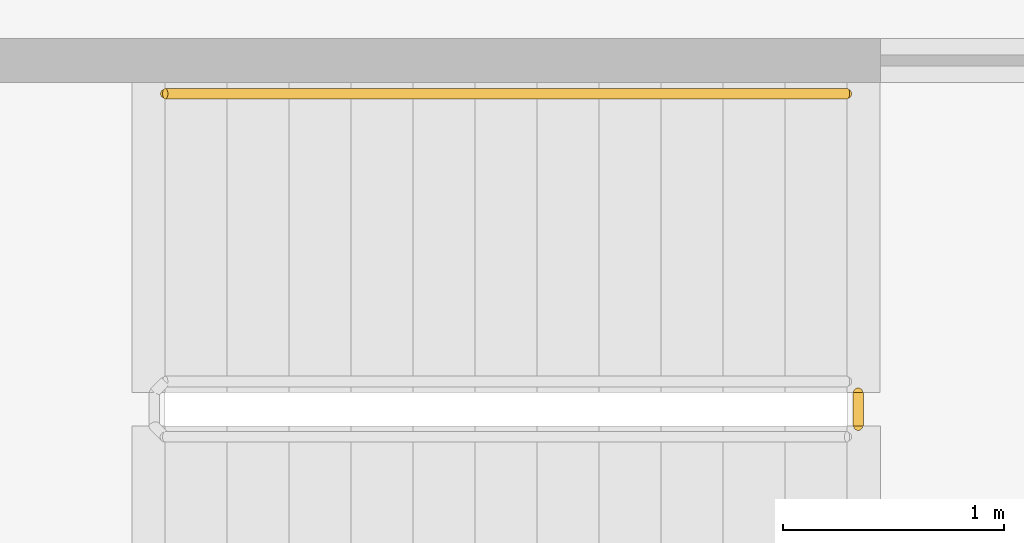
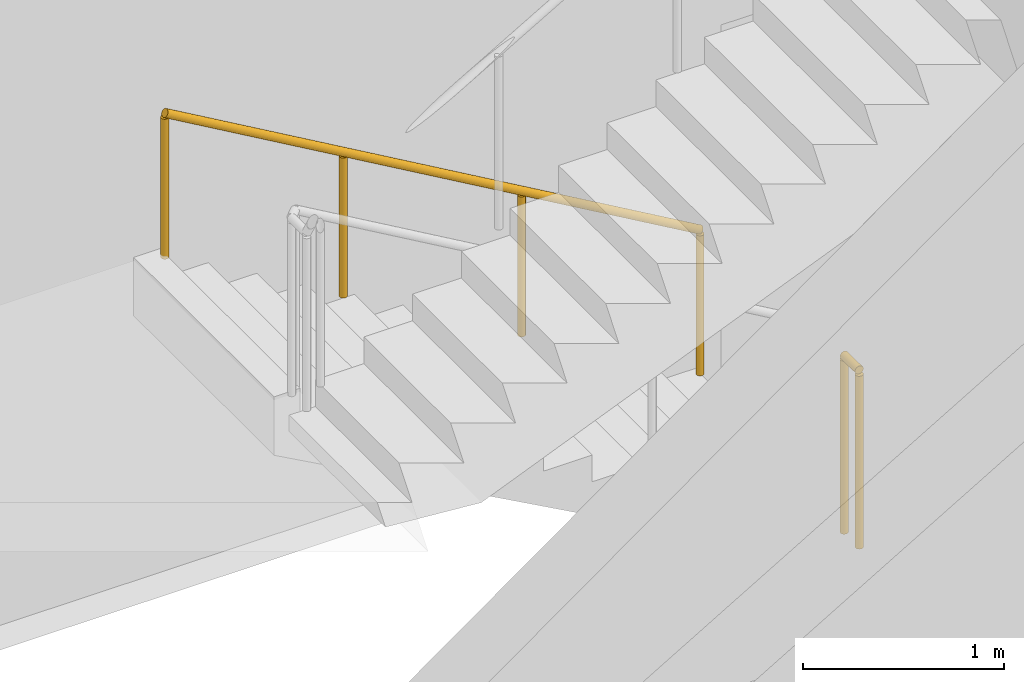
# One storey, part 18 of 21: 2 railings.
"""IFC4 building model written with IfcOpenShell, lengths in metres."""

from ifc_helpers import new_model, si_unit, direction, frame, origin, origin_2d, place, context, subcontext, project, spatial, circle, extrude, material, type_object, element, save


model = new_model("IFC4")

# Units and contexts
model_context = context("Model", 3, precision=1e-05, world=origin(), true_north=direction((0.0, 1.0)))
body_context = subcontext(model_context, "Body", "Model", "MODEL_VIEW")
ifc_project = project(units=[si_unit("LENGTHUNIT", "METRE"), si_unit("AREAUNIT", "SQUARE_METRE"), si_unit("VOLUMEUNIT", "CUBIC_METRE"), si_unit("PLANEANGLEUNIT", "RADIAN"), si_unit("MASSUNIT", "GRAM", prefix="KILO")], contexts=[model_context])

# Site, building, storey
site_placement = place(None, origin())
site = spatial("IfcSite", under=ifc_project, at=site_placement, CompositionType="ELEMENT")
building_placement = place(site_placement, origin())
building = spatial("IfcBuilding", under=site, at=building_placement, Name="Kheshtan School and Residences Tower", CompositionType="ELEMENT")
storey_placement = place(building_placement, frame((0.0, 0.0, 235.699951171875)))
storey = spatial("IfcBuildingStorey", under=building, at=storey_placement, Name="L55", CompositionType="ELEMENT", Elevation=235.699951171875)

# Railings
ifc_material_1 = material(Name="Stainless steel balustrade", Category="steel")
railing_type_1 = type_object("IfcRailingType", Name="Stair guard 1100", PredefinedType="GUARDRAIL", material=ifc_material_1)
railing_1_placement = place(storey_placement, frame((78.4599609375, 24.39990234375, 0.0)))
element("IfcRailing", 1, at=railing_1_placement, inside=storey, type_object=railing_type_1, Name="L55 ST5 stair guard 2", PredefinedType="GUARDRAIL", context=body_context, shape_type="SweptSolid", body=[
    extrude(circle(Radius=0.02392578125, at=origin_2d()), frame((0.0, 0.0, 1.076171875), z_axis=(0.0, -1.0, 0.0), x_axis=(1.0, 0.0, 0.0)), (0.0, 0.0, 1.0), 0.14990234375),
    extrude(circle(Radius=0.02099609375, at=origin_2d()), origin(), (0.0, 0.0, 1.0), 1.052001953125),
    extrude(circle(Radius=0.02099609375, at=origin_2d()), frame((0.0, -0.14990234375, 0.0)), (0.0, 0.0, 1.0), 1.052001953125),
])
ifc_material_2 = material(Name="Stainless steel handrail", Category="steel")
railing_type_2 = type_object("IfcRailingType", Name="Stair handrail 900", PredefinedType="HANDRAIL", material=ifc_material_2)
railing_2_placement = place(storey_placement, frame((78.409912109375, 25.75, 0.16259765625)))
element("IfcRailing", 2, at=railing_2_placement, inside=storey, type_object=railing_type_2, Name="L55 ST5 stair handrail 1", PredefinedType="HANDRAIL", context=body_context, shape_type="SweptSolid", body=[
    extrude(circle(Radius=0.02392578125, at=origin_2d()), frame((0.0, 0.0, 0.8759765625), z_axis=(-0.864903211148, 0.0, 0.501938676878), x_axis=(0.0, -1.0, 0.0)), (0.0, 0.0, 1.0), 3.560791015625),
    extrude(circle(Radius=0.02099609375, at=origin_2d()), origin(), (0.0, 0.0, 1.0), 0.851806640625),
    extrude(circle(Radius=0.02099609375, at=origin_2d()), frame((-1.026611328125, 0.0, 0.595703125)), (0.0, 0.0, 1.0), 0.851806640625),
    extrude(circle(Radius=0.02099609375, at=origin_2d()), frame((-2.05322265625, 0.0, 1.191650390625)), (0.0, 0.0, 1.0), 0.851806640625),
    extrude(circle(Radius=0.02099609375, at=origin_2d()), frame((-3.079833984375, 0.0, 1.787353515625)), (0.0, 0.0, 1.0), 0.851806640625),
])

save(model, "model.ifc")
